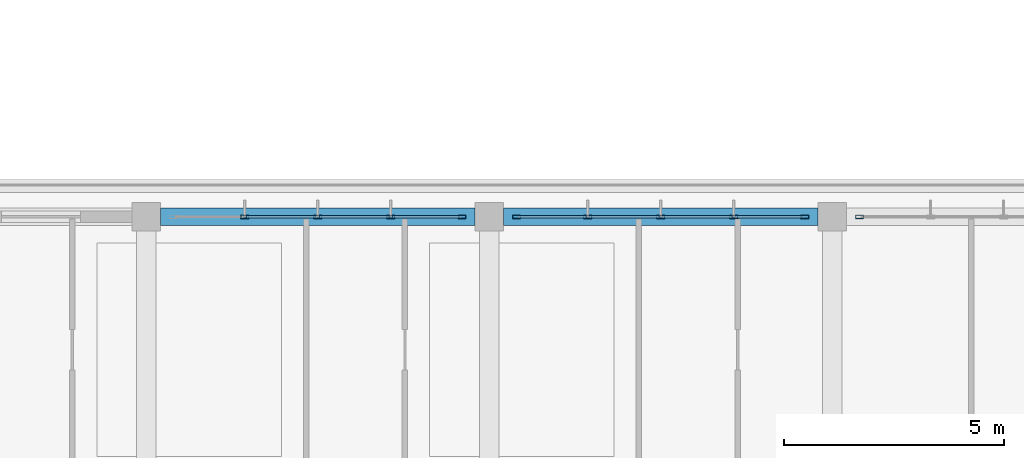
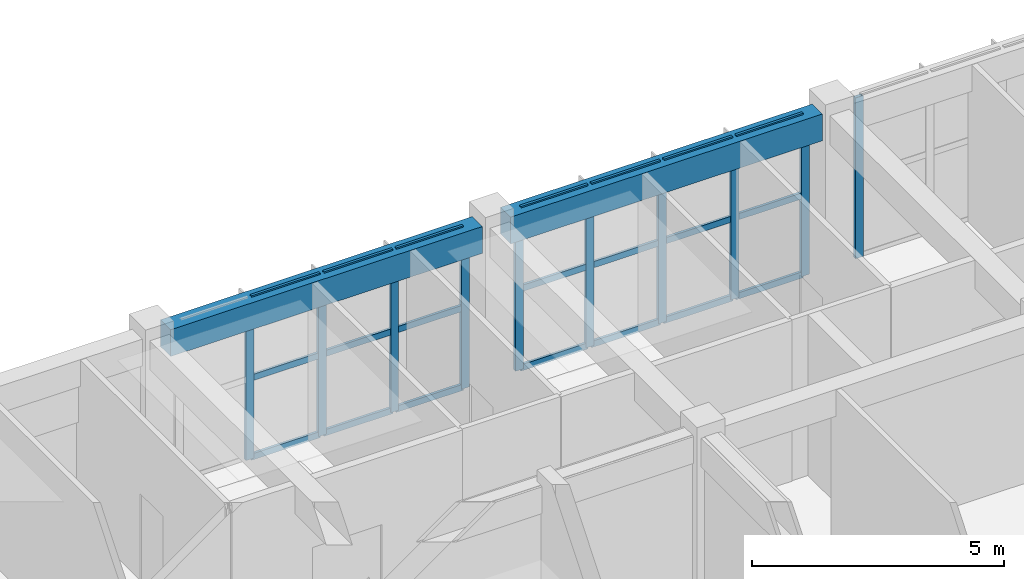
# One storey, part 20 of 63: 31 members, 2 beams, 3 elements without a shape of their own.
"""IFC4 building model written with IfcOpenShell, lengths in metres."""

from ifc_helpers import new_model, si_unit, direction, frame, origin, origin_2d, place, context, subcontext, project, spatial, rectangle, hollow_rectangle, extrude, material, layer, layer_set, material_profile, profile_set, type_object, element, aggregate, save


model = new_model("IFC4")

# Units and contexts
model_context = context("Model", 3, precision=1e-05, world=origin(), true_north=direction((0.0, 1.0)))
body_context = subcontext(model_context, "Body", "Model", "MODEL_VIEW")
ifc_project = project(units=[si_unit("LENGTHUNIT", "METRE"), si_unit("AREAUNIT", "SQUARE_METRE"), si_unit("VOLUMEUNIT", "CUBIC_METRE"), si_unit("PLANEANGLEUNIT", "RADIAN"), si_unit("MASSUNIT", "GRAM", prefix="KILO")], contexts=[model_context])

# Site, building, storey
site_placement = place(None, origin())
site = spatial("IfcSite", under=ifc_project, at=site_placement, CompositionType="ELEMENT")
building_placement = place(site_placement, origin())
building = spatial("IfcBuilding", under=site, at=building_placement, Name="Zizhar Promenade General Hospital", CompositionType="ELEMENT")
storey_placement = place(building_placement, frame((0.0, 0.0, 18.0)))
storey = spatial("IfcBuildingStorey", under=building, at=storey_placement, Name="L04", CompositionType="ELEMENT", Elevation=18.0)

# Beams
ifc_material_1 = material(Name="Concrete C35/45", Category="concrete")
ifc_material_profile_1 = material_profile(ifc_material_1, rectangle(XDim=0.39990234375, YDim=0.64990234375, at=origin_2d()))
ifc_profile_set_1 = profile_set([ifc_material_profile_1], Name="Concrete C35/45")
beam_type = type_object("IfcBeamType", Name="BM-RC-400x650", PredefinedType="BEAM", material=ifc_profile_set_1)
beam_1_placement = place(storey_placement, frame((62.72509765625, 25.199951171875, 3.5849609375), z_axis=(1.0, 0.0, 0.0), x_axis=(0.0, 1.0, 0.0)))
element("IfcBeam", 1, at=beam_1_placement, inside=storey, type_object=beam_type, Name="Grid Beam X L04 (8-3)", PredefinedType="BEAM", context=body_context, shape_type="SweptSolid", body=[
    extrude(rectangle(XDim=0.39990234375, YDim=0.64990234375, at=origin_2d()), origin(), (0.0, 0.0, 1.0), 7.14990234375),
])
beam_2_placement = place(storey_placement, frame((70.52490234375, 25.199951171875, 3.5849609375), z_axis=(1.0, 0.0, 0.0), x_axis=(0.0, 1.0, 0.0)))
element("IfcBeam", 2, at=beam_2_placement, inside=storey, type_object=beam_type, Name="Grid Beam X L04 (9-3)", PredefinedType="BEAM", context=body_context, shape_type="SweptSolid", body=[
    extrude(rectangle(XDim=0.39990234375, YDim=0.64990234375, at=origin_2d()), origin(), (0.0, 0.0, 1.0), 7.150146484375),
])

# Curtain wall, members
ifc_material_2 = material(Name="Anodised aluminium 6063-T6 and low-E glass", Category="aluminium")
ifc_layer = layer(ifc_material_2, 0.159912109375)
ifc_layer_set = layer_set([ifc_layer], Name="Anodised aluminium 6063-T6 and low-E glass")
curtain_wall_type = type_object("IfcCurtainWallType", Name="CW-WARD-RIB", PredefinedType="NOTDEFINED", material=ifc_layer_set)
curtain_wall_1_placement = place(storey_placement, origin())
curtain_wall_1 = element("IfcCurtainWall", 3, at=curtain_wall_1_placement, inside=storey, type_object=curtain_wall_type, Name="Ward Ribbon Curtain Wall L04-8-5", PredefinedType="NOTDEFINED")
ifc_material_3 = material(Name="Anodised aluminium 6063-T6", Category="aluminium")
ifc_material_profile_2 = material_profile(ifc_material_3, hollow_rectangle(XDim=0.080078125, YDim=0.179931640625, WallThickness=0.0048828125, at=origin_2d()))
ifc_profile_set_2 = profile_set([ifc_material_profile_2], Name="Anodised aluminium 6063-T6")
member_type_1 = type_object("IfcMemberType", Name="CWM-ALU-180x80", PredefinedType="MULLION", material=ifc_profile_set_2)
member_1_placement = place(storey_placement, frame((64.639892578125, 25.199951171875, 0.0), z_axis=(0.0, 0.0, 1.0), x_axis=(0.0, 1.0, 0.0)))
member_1 = element("IfcMember", 4, at=member_1_placement, type_object=member_type_1, Name="CW-13 mullion 2", PredefinedType="MULLION", context=body_context, shape_type="SweptSolid", body=[
    extrude(hollow_rectangle(XDim=0.080078125, YDim=0.179931640625, WallThickness=0.0048828125, at=origin_2d()), origin(), (0.0, 0.0, 1.0), 3.89990234375),
])
member_2_placement = place(storey_placement, frame((66.300048828125, 25.199951171875, 0.0), z_axis=(0.0, 0.0, 1.0), x_axis=(0.0, 1.0, 0.0)))
member_2 = element("IfcMember", 5, at=member_2_placement, type_object=member_type_1, Name="CW-13 mullion 3", PredefinedType="MULLION", context=body_context, shape_type="SweptSolid", body=[
    extrude(hollow_rectangle(XDim=0.080078125, YDim=0.179931640625, WallThickness=0.0048828125, at=origin_2d()), origin(), (0.0, 0.0, 1.0), 3.89990234375),
])
member_3_placement = place(storey_placement, frame((67.9599609375, 25.199951171875, 0.0), z_axis=(0.0, 0.0, 1.0), x_axis=(0.0, 1.0, 0.0)))
member_3 = element("IfcMember", 6, at=member_3_placement, type_object=member_type_1, Name="CW-13 mullion 4", PredefinedType="MULLION", context=body_context, shape_type="SweptSolid", body=[
    extrude(hollow_rectangle(XDim=0.080078125, YDim=0.179931640625, WallThickness=0.0048828125, at=origin_2d()), origin(), (0.0, 0.0, 1.0), 3.89990234375),
])
member_4_placement = place(storey_placement, frame((69.580078125, 25.199951171875, 0.0), z_axis=(0.0, 0.0, 1.0), x_axis=(0.0, 1.0, 0.0)))
member_4 = element("IfcMember", 7, at=member_4_placement, type_object=member_type_1, Name="CW-13 mullion 5", PredefinedType="MULLION", context=body_context, shape_type="SweptSolid", body=[
    extrude(hollow_rectangle(XDim=0.080078125, YDim=0.179931640625, WallThickness=0.0048828125, at=origin_2d()), origin(), (0.0, 0.0, 1.0), 3.89990234375),
])

curtain_wall_2_placement = place(storey_placement, origin())
curtain_wall_2 = element("IfcCurtainWall", 8, at=curtain_wall_2_placement, inside=storey, type_object=curtain_wall_type, Name="Ward Ribbon Curtain Wall L04-8-6", PredefinedType="NOTDEFINED")
member_5_placement = place(storey_placement, frame((70.820068359375, 25.199951171875, 0.0), z_axis=(0.0, 0.0, 1.0), x_axis=(0.0, 1.0, 0.0)))
member_5 = element("IfcMember", 9, at=member_5_placement, type_object=member_type_1, Name="CW-13 mullion 1", PredefinedType="MULLION", context=body_context, shape_type="SweptSolid", body=[
    extrude(hollow_rectangle(XDim=0.080078125, YDim=0.179931640625, WallThickness=0.0048828125, at=origin_2d()), origin(), (0.0, 0.0, 1.0), 3.89990234375),
])
member_6_placement = place(storey_placement, frame((72.43994140625, 25.199951171875, 0.0), z_axis=(0.0, 0.0, 1.0), x_axis=(0.0, 1.0, 0.0)))
member_6 = element("IfcMember", 10, at=member_6_placement, type_object=member_type_1, Name="CW-13 mullion 2", PredefinedType="MULLION", context=body_context, shape_type="SweptSolid", body=[
    extrude(hollow_rectangle(XDim=0.080078125, YDim=0.179931640625, WallThickness=0.0048828125, at=origin_2d()), origin(), (0.0, 0.0, 1.0), 3.89990234375),
])
member_7_placement = place(storey_placement, frame((74.10009765625, 25.199951171875, 0.0), z_axis=(0.0, 0.0, 1.0), x_axis=(0.0, 1.0, 0.0)))
member_7 = element("IfcMember", 11, at=member_7_placement, type_object=member_type_1, Name="CW-13 mullion 3", PredefinedType="MULLION", context=body_context, shape_type="SweptSolid", body=[
    extrude(hollow_rectangle(XDim=0.080078125, YDim=0.179931640625, WallThickness=0.0048828125, at=origin_2d()), origin(), (0.0, 0.0, 1.0), 3.89990234375),
])
member_8_placement = place(storey_placement, frame((75.760009765625, 25.199951171875, 0.0), z_axis=(0.0, 0.0, 1.0), x_axis=(0.0, 1.0, 0.0)))
member_8 = element("IfcMember", 12, at=member_8_placement, type_object=member_type_1, Name="CW-13 mullion 4", PredefinedType="MULLION", context=body_context, shape_type="SweptSolid", body=[
    extrude(hollow_rectangle(XDim=0.080078125, YDim=0.179931640625, WallThickness=0.0048828125, at=origin_2d()), origin(), (0.0, 0.0, 1.0), 3.89990234375),
])
member_9_placement = place(storey_placement, frame((77.3798828125, 25.199951171875, 0.0), z_axis=(0.0, 0.0, 1.0), x_axis=(0.0, 1.0, 0.0)))
member_9 = element("IfcMember", 13, at=member_9_placement, type_object=member_type_1, Name="CW-13 mullion 5", PredefinedType="MULLION", context=body_context, shape_type="SweptSolid", body=[
    extrude(hollow_rectangle(XDim=0.080078125, YDim=0.179931640625, WallThickness=0.0048828125, at=origin_2d()), origin(), (0.0, 0.0, 1.0), 3.89990234375),
])

# Curtain wall, member
curtain_wall_3_placement = place(storey_placement, origin())
curtain_wall_3 = element("IfcCurtainWall", 14, at=curtain_wall_3_placement, inside=storey, type_object=curtain_wall_type, Name="Ward Ribbon Curtain Wall L04-8-7", PredefinedType="NOTDEFINED")
member_10_placement = place(storey_placement, frame((78.6201171875, 25.199951171875, 0.0), z_axis=(0.0, 0.0, 1.0), x_axis=(0.0, 1.0, 0.0)))
member_10 = element("IfcMember", 15, at=member_10_placement, type_object=member_type_1, Name="CW-13 mullion 1", PredefinedType="MULLION", context=body_context, shape_type="SweptSolid", body=[
    extrude(hollow_rectangle(XDim=0.080078125, YDim=0.179931640625, WallThickness=0.0048828125, at=origin_2d()), origin(), (0.0, 0.0, 1.0), 3.89990234375),
])
aggregate(curtain_wall_3, [member_10])

# Member
ifc_material_4 = material(Name="Anodised aluminium 6063-T6", Category="aluminium")
ifc_material_profile_3 = material_profile(ifc_material_4, hollow_rectangle(XDim=0.06005859375, YDim=0.14990234375, WallThickness=0.00390625, at=origin_2d()))
ifc_profile_set_3 = profile_set([ifc_material_profile_3], Name="Anodised aluminium 6063-T6")
member_type_2 = type_object("IfcMemberType", Name="CWT-ALU-150x60", PredefinedType="USERDEFINED", material=ifc_profile_set_3)
member_11_placement = place(storey_placement, frame((64.679931640625, 25.199951171875, 0.030029296875), z_axis=(1.0, 0.0, 0.0), x_axis=(0.0, 1.0, 0.0)))
member_11 = element("IfcMember", 16, at=member_11_placement, type_object=member_type_2, Name="CW-13 transom 2.1", ObjectType="TRANSOM", PredefinedType="USERDEFINED", context=body_context, shape_type="SweptSolid", body=[
    extrude(hollow_rectangle(XDim=0.06005859375, YDim=0.14990234375, WallThickness=0.00390625, at=origin_2d()), origin(), (0.0, 0.0, 1.0), 1.580078125),
])

member_12_placement = place(storey_placement, frame((64.679931640625, 25.199951171875, 1.949951171875), z_axis=(1.0, 0.0, 0.0), x_axis=(0.0, 1.0, 0.0)))
member_12 = element("IfcMember", 17, at=member_12_placement, type_object=member_type_2, Name="CW-13 transom 2.2", ObjectType="TRANSOM", PredefinedType="USERDEFINED", context=body_context, shape_type="SweptSolid", body=[
    extrude(hollow_rectangle(XDim=0.06005859375, YDim=0.14990234375, WallThickness=0.00390625, at=origin_2d()), origin(), (0.0, 0.0, 1.0), 1.580078125),
])

member_13_placement = place(storey_placement, frame((64.679931640625, 25.199951171875, 3.8701171875), z_axis=(1.0, 0.0, 0.0), x_axis=(0.0, 1.0, 0.0)))
member_13 = element("IfcMember", 18, at=member_13_placement, type_object=member_type_2, Name="CW-13 transom 2.3", ObjectType="TRANSOM", PredefinedType="USERDEFINED", context=body_context, shape_type="SweptSolid", body=[
    extrude(hollow_rectangle(XDim=0.06005859375, YDim=0.14990234375, WallThickness=0.00390625, at=origin_2d()), origin(), (0.0, 0.0, 1.0), 1.580078125),
])

member_14_placement = place(storey_placement, frame((66.340087890625, 25.199951171875, 0.030029296875), z_axis=(1.0, 0.0, 0.0), x_axis=(0.0, 1.0, 0.0)))
member_14 = element("IfcMember", 19, at=member_14_placement, type_object=member_type_2, Name="CW-13 transom 3.1", ObjectType="TRANSOM", PredefinedType="USERDEFINED", context=body_context, shape_type="SweptSolid", body=[
    extrude(hollow_rectangle(XDim=0.06005859375, YDim=0.14990234375, WallThickness=0.00390625, at=origin_2d()), origin(), (0.0, 0.0, 1.0), 1.579833984375),
])

member_15_placement = place(storey_placement, frame((66.340087890625, 25.199951171875, 1.949951171875), z_axis=(1.0, 0.0, 0.0), x_axis=(0.0, 1.0, 0.0)))
member_15 = element("IfcMember", 20, at=member_15_placement, type_object=member_type_2, Name="CW-13 transom 3.2", ObjectType="TRANSOM", PredefinedType="USERDEFINED", context=body_context, shape_type="SweptSolid", body=[
    extrude(hollow_rectangle(XDim=0.06005859375, YDim=0.14990234375, WallThickness=0.00390625, at=origin_2d()), origin(), (0.0, 0.0, 1.0), 1.579833984375),
])

member_16_placement = place(storey_placement, frame((66.340087890625, 25.199951171875, 3.8701171875), z_axis=(1.0, 0.0, 0.0), x_axis=(0.0, 1.0, 0.0)))
member_16 = element("IfcMember", 21, at=member_16_placement, type_object=member_type_2, Name="CW-13 transom 3.3", ObjectType="TRANSOM", PredefinedType="USERDEFINED", context=body_context, shape_type="SweptSolid", body=[
    extrude(hollow_rectangle(XDim=0.06005859375, YDim=0.14990234375, WallThickness=0.00390625, at=origin_2d()), origin(), (0.0, 0.0, 1.0), 1.579833984375),
])

member_17_placement = place(storey_placement, frame((68.0, 25.199951171875, 0.030029296875), z_axis=(1.0, 0.0, 0.0), x_axis=(0.0, 1.0, 0.0)))
member_17 = element("IfcMember", 22, at=member_17_placement, type_object=member_type_2, Name="CW-13 transom 4.1", ObjectType="TRANSOM", PredefinedType="USERDEFINED", context=body_context, shape_type="SweptSolid", body=[
    extrude(hollow_rectangle(XDim=0.06005859375, YDim=0.14990234375, WallThickness=0.00390625, at=origin_2d()), origin(), (0.0, 0.0, 1.0), 1.5400390625),
])

member_18_placement = place(storey_placement, frame((68.0, 25.199951171875, 1.949951171875), z_axis=(1.0, 0.0, 0.0), x_axis=(0.0, 1.0, 0.0)))
member_18 = element("IfcMember", 23, at=member_18_placement, type_object=member_type_2, Name="CW-13 transom 4.2", ObjectType="TRANSOM", PredefinedType="USERDEFINED", context=body_context, shape_type="SweptSolid", body=[
    extrude(hollow_rectangle(XDim=0.06005859375, YDim=0.14990234375, WallThickness=0.00390625, at=origin_2d()), origin(), (0.0, 0.0, 1.0), 1.5400390625),
])

member_19_placement = place(storey_placement, frame((68.0, 25.199951171875, 3.8701171875), z_axis=(1.0, 0.0, 0.0), x_axis=(0.0, 1.0, 0.0)))
member_19 = element("IfcMember", 24, at=member_19_placement, type_object=member_type_2, Name="CW-13 transom 4.3", ObjectType="TRANSOM", PredefinedType="USERDEFINED", context=body_context, shape_type="SweptSolid", body=[
    extrude(hollow_rectangle(XDim=0.06005859375, YDim=0.14990234375, WallThickness=0.00390625, at=origin_2d()), origin(), (0.0, 0.0, 1.0), 1.5400390625),
])

aggregate(curtain_wall_1, [member_1, member_2, member_3, member_4, member_11, member_12, member_13, member_14, member_15, member_16, member_17, member_18, member_19])

member_20_placement = place(storey_placement, frame((70.860107421875, 25.199951171875, 0.030029296875), z_axis=(1.0, 0.0, 0.0), x_axis=(0.0, 1.0, 0.0)))
member_20 = element("IfcMember", 25, at=member_20_placement, type_object=member_type_2, Name="CW-13 transom 1.1", ObjectType="TRANSOM", PredefinedType="USERDEFINED", context=body_context, shape_type="SweptSolid", body=[
    extrude(hollow_rectangle(XDim=0.06005859375, YDim=0.14990234375, WallThickness=0.00390625, at=origin_2d()), origin(), (0.0, 0.0, 1.0), 1.539794921875),
])

member_21_placement = place(storey_placement, frame((70.860107421875, 25.199951171875, 1.949951171875), z_axis=(1.0, 0.0, 0.0), x_axis=(0.0, 1.0, 0.0)))
member_21 = element("IfcMember", 26, at=member_21_placement, type_object=member_type_2, Name="CW-13 transom 1.2", ObjectType="TRANSOM", PredefinedType="USERDEFINED", context=body_context, shape_type="SweptSolid", body=[
    extrude(hollow_rectangle(XDim=0.06005859375, YDim=0.14990234375, WallThickness=0.00390625, at=origin_2d()), origin(), (0.0, 0.0, 1.0), 1.539794921875),
])

member_22_placement = place(storey_placement, frame((70.860107421875, 25.199951171875, 3.8701171875), z_axis=(1.0, 0.0, 0.0), x_axis=(0.0, 1.0, 0.0)))
member_22 = element("IfcMember", 27, at=member_22_placement, type_object=member_type_2, Name="CW-13 transom 1.3", ObjectType="TRANSOM", PredefinedType="USERDEFINED", context=body_context, shape_type="SweptSolid", body=[
    extrude(hollow_rectangle(XDim=0.06005859375, YDim=0.14990234375, WallThickness=0.00390625, at=origin_2d()), origin(), (0.0, 0.0, 1.0), 1.539794921875),
])

member_23_placement = place(storey_placement, frame((72.47998046875, 25.199951171875, 0.030029296875), z_axis=(1.0, 0.0, 0.0), x_axis=(0.0, 1.0, 0.0)))
member_23 = element("IfcMember", 28, at=member_23_placement, type_object=member_type_2, Name="CW-13 transom 2.1", ObjectType="TRANSOM", PredefinedType="USERDEFINED", context=body_context, shape_type="SweptSolid", body=[
    extrude(hollow_rectangle(XDim=0.06005859375, YDim=0.14990234375, WallThickness=0.00390625, at=origin_2d()), origin(), (0.0, 0.0, 1.0), 1.580078125),
])

member_24_placement = place(storey_placement, frame((72.47998046875, 25.199951171875, 1.949951171875), z_axis=(1.0, 0.0, 0.0), x_axis=(0.0, 1.0, 0.0)))
member_24 = element("IfcMember", 29, at=member_24_placement, type_object=member_type_2, Name="CW-13 transom 2.2", ObjectType="TRANSOM", PredefinedType="USERDEFINED", context=body_context, shape_type="SweptSolid", body=[
    extrude(hollow_rectangle(XDim=0.06005859375, YDim=0.14990234375, WallThickness=0.00390625, at=origin_2d()), origin(), (0.0, 0.0, 1.0), 1.580078125),
])

member_25_placement = place(storey_placement, frame((72.47998046875, 25.199951171875, 3.8701171875), z_axis=(1.0, 0.0, 0.0), x_axis=(0.0, 1.0, 0.0)))
member_25 = element("IfcMember", 30, at=member_25_placement, type_object=member_type_2, Name="CW-13 transom 2.3", ObjectType="TRANSOM", PredefinedType="USERDEFINED", context=body_context, shape_type="SweptSolid", body=[
    extrude(hollow_rectangle(XDim=0.06005859375, YDim=0.14990234375, WallThickness=0.00390625, at=origin_2d()), origin(), (0.0, 0.0, 1.0), 1.580078125),
])

member_26_placement = place(storey_placement, frame((74.139892578125, 25.199951171875, 0.030029296875), z_axis=(1.0, 0.0, 0.0), x_axis=(0.0, 1.0, 0.0)))
member_26 = element("IfcMember", 31, at=member_26_placement, type_object=member_type_2, Name="CW-13 transom 3.1", ObjectType="TRANSOM", PredefinedType="USERDEFINED", context=body_context, shape_type="SweptSolid", body=[
    extrude(hollow_rectangle(XDim=0.06005859375, YDim=0.14990234375, WallThickness=0.00390625, at=origin_2d()), origin(), (0.0, 0.0, 1.0), 1.580078125),
])

member_27_placement = place(storey_placement, frame((74.139892578125, 25.199951171875, 1.949951171875), z_axis=(1.0, 0.0, 0.0), x_axis=(0.0, 1.0, 0.0)))
member_27 = element("IfcMember", 32, at=member_27_placement, type_object=member_type_2, Name="CW-13 transom 3.2", ObjectType="TRANSOM", PredefinedType="USERDEFINED", context=body_context, shape_type="SweptSolid", body=[
    extrude(hollow_rectangle(XDim=0.06005859375, YDim=0.14990234375, WallThickness=0.00390625, at=origin_2d()), origin(), (0.0, 0.0, 1.0), 1.580078125),
])

member_28_placement = place(storey_placement, frame((74.139892578125, 25.199951171875, 3.8701171875), z_axis=(1.0, 0.0, 0.0), x_axis=(0.0, 1.0, 0.0)))
member_28 = element("IfcMember", 33, at=member_28_placement, type_object=member_type_2, Name="CW-13 transom 3.3", ObjectType="TRANSOM", PredefinedType="USERDEFINED", context=body_context, shape_type="SweptSolid", body=[
    extrude(hollow_rectangle(XDim=0.06005859375, YDim=0.14990234375, WallThickness=0.00390625, at=origin_2d()), origin(), (0.0, 0.0, 1.0), 1.580078125),
])

member_29_placement = place(storey_placement, frame((75.800048828125, 25.199951171875, 0.030029296875), z_axis=(1.0, 0.0, 0.0), x_axis=(0.0, 1.0, 0.0)))
member_29 = element("IfcMember", 34, at=member_29_placement, type_object=member_type_2, Name="CW-13 transom 4.1", ObjectType="TRANSOM", PredefinedType="USERDEFINED", context=body_context, shape_type="SweptSolid", body=[
    extrude(hollow_rectangle(XDim=0.06005859375, YDim=0.14990234375, WallThickness=0.00390625, at=origin_2d()), origin(), (0.0, 0.0, 1.0), 1.5400390625),
])

member_30_placement = place(storey_placement, frame((75.800048828125, 25.199951171875, 1.949951171875), z_axis=(1.0, 0.0, 0.0), x_axis=(0.0, 1.0, 0.0)))
member_30 = element("IfcMember", 35, at=member_30_placement, type_object=member_type_2, Name="CW-13 transom 4.2", ObjectType="TRANSOM", PredefinedType="USERDEFINED", context=body_context, shape_type="SweptSolid", body=[
    extrude(hollow_rectangle(XDim=0.06005859375, YDim=0.14990234375, WallThickness=0.00390625, at=origin_2d()), origin(), (0.0, 0.0, 1.0), 1.5400390625),
])

member_31_placement = place(storey_placement, frame((75.800048828125, 25.199951171875, 3.8701171875), z_axis=(1.0, 0.0, 0.0), x_axis=(0.0, 1.0, 0.0)))
member_31 = element("IfcMember", 36, at=member_31_placement, type_object=member_type_2, Name="CW-13 transom 4.3", ObjectType="TRANSOM", PredefinedType="USERDEFINED", context=body_context, shape_type="SweptSolid", body=[
    extrude(hollow_rectangle(XDim=0.06005859375, YDim=0.14990234375, WallThickness=0.00390625, at=origin_2d()), origin(), (0.0, 0.0, 1.0), 1.5400390625),
])

aggregate(curtain_wall_2, [member_5, member_6, member_7, member_8, member_9, member_20, member_21, member_22, member_23, member_24, member_25, member_26, member_27, member_28, member_29, member_30, member_31])

save(model, "model.ifc")
